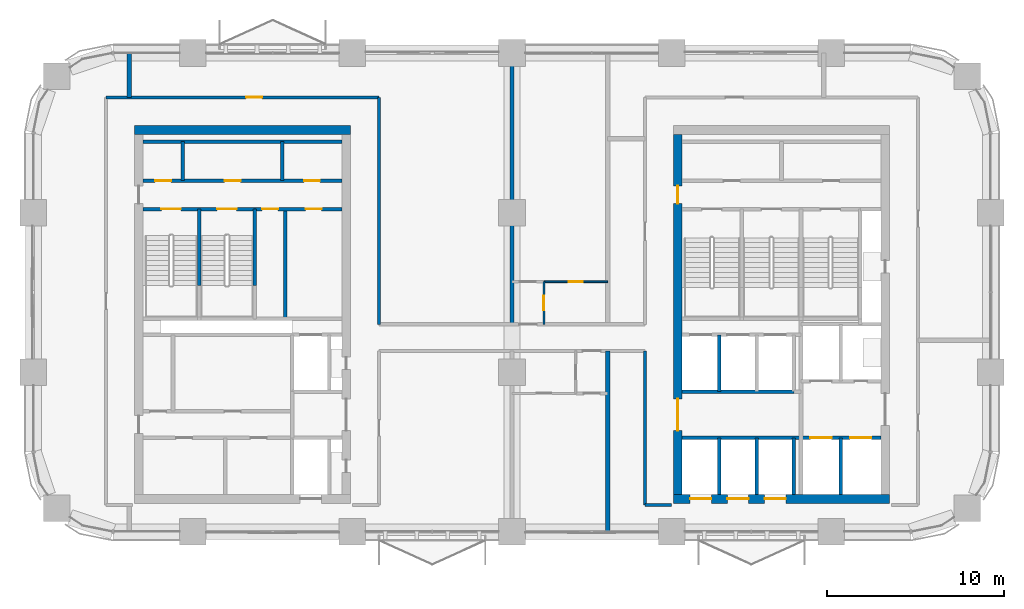
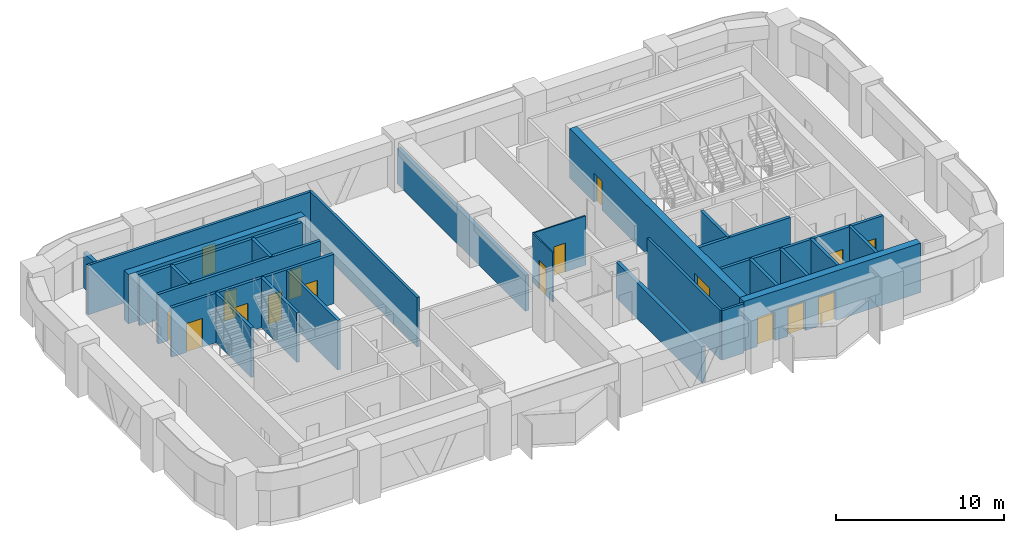
# One storey, part 9 of 13: 28 walls, 17 doors, 17 openings.
"""IFC4 building model written with IfcOpenShell, lengths in metres."""

from ifc_helpers import new_model, si_unit, direction, frame, frame_2d, origin, place, context, subcontext, project, spatial, rectangle, extrude, material, layer, layer_set, type_object, element, fill, save


model = new_model("IFC4")

# Units and contexts
model_context = context("Model", 3, precision=1e-05, world=origin(), true_north=direction((0.0, 1.0)))
body_context = subcontext(model_context, "Body", "Model", "MODEL_VIEW")
ifc_project = project(units=[si_unit("LENGTHUNIT", "METRE"), si_unit("AREAUNIT", "SQUARE_METRE"), si_unit("VOLUMEUNIT", "CUBIC_METRE"), si_unit("PLANEANGLEUNIT", "RADIAN"), si_unit("MASSUNIT", "GRAM", prefix="KILO")], contexts=[model_context])

# Site, building, storey
site_placement = place(None, origin())
site = spatial("IfcSite", under=ifc_project, at=site_placement, CompositionType="ELEMENT")
building_placement = place(site_placement, origin())
building = spatial("IfcBuilding", under=site, at=building_placement, Name="Tessera Arch", CompositionType="ELEMENT")
storey_placement = place(building_placement, frame((0.0, 0.0, 189.5)))
storey = spatial("IfcBuildingStorey", under=building, at=storey_placement, Name="L45", CompositionType="ELEMENT", Elevation=189.5)

# Walls
ifc_material_1 = material(Name="Gypsum board on steel stud", Category="steel")
ifc_layer_1 = layer(ifc_material_1, 0.125)
ifc_layer_set_1 = layer_set([ifc_layer_1], Name="Core partition 125 EI 60")
wall_type_1 = type_object("IfcWallType", Name="Core partition 125 EI 60", PredefinedType="PARTITIONING", material=ifc_layer_set_1)
for number, where, z_axis, x_axis, name in (
    (1, (8.43994140625, 46.800048828125, 0.0), (0.0, 0.0, 1.0), (0.0, 1.0, 0.0), "L45 C2 partition wall 2"),
    (2, (14.0400390625, 46.800048828125, 0.0), (0.0, 0.0, 1.0), (0.0, 1.0, 0.0), "L45 C2 partition wall 8"),
):
    element("IfcWall", number, at=place(storey_placement, frame(where, z_axis=z_axis, x_axis=x_axis)), inside=storey, type_object=wall_type_1, Name=name, PredefinedType="PARTITIONING", context=body_context, shape_type="SweptSolid", body=[
        extrude(rectangle(XDim=2.199951171875, YDim=0.199951171875, at=frame_2d((1.10009765625, 0.0))), origin(), (0.0, 0.0, 1.0), 3.60009765625),
    ])
wall_1_placement = place(storey_placement, frame((14.215087890625, 39.0, 0.0), z_axis=(0.0, 0.0, 1.0), x_axis=(0.0, 1.0, 0.0)))
element("IfcWall", 3, at=wall_1_placement, inside=storey, type_object=wall_type_1, Name="L45 C2 partition wall 9", PredefinedType="PARTITIONING", context=body_context, shape_type="SweptSolid", body=[
    extrude(rectangle(XDim=6.199951171875, YDim=0.199951171875, at=frame_2d((3.10009765625, 0.0))), origin(), (0.0, 0.0, 1.0), 3.60009765625),
])

# Wall, openings, doors
wall_2_placement = place(storey_placement, frame((12.5, 45.199951171875, 0.0), z_axis=(0.0, 0.0, 1.0), x_axis=(1.0, 0.0, 0.0)))
wall_2 = element("IfcWall", 4, at=wall_2_placement, inside=storey, type_object=wall_type_1, Name="L45 C2 partition wall 24", PredefinedType="PARTITIONING", context=body_context, shape_type="SweptSolid", body=[
    extrude(rectangle(XDim=4.89990234375, YDim=0.199951171875, at=frame_2d((2.449951171875, 0.0))), origin(), (0.0, 0.0, 1.0), 3.60009765625),
])
opening_1_placement = place(wall_2_placement, frame((0.407470703125, 0.0, 0.0)))
opening_1 = element("IfcOpeningElement", 5, at=opening_1_placement, cuts=wall_2, Name="Opening L45-C32", PredefinedType="OPENING", context=body_context, shape_type="SweptSolid", body=[
    extrude(rectangle(XDim=0.89990234375, YDim=2.10009765625, at=frame_2d((0.449951171875, 1.050048828125))), frame((0.0, 0.10986328125, 0.0), z_axis=(0.0, -1.0, 0.0), x_axis=(1.0, 0.0, 0.0)), (0.0, 0.0, 1.0), 0.219970703125),
])
opening_2_placement = place(wall_2_placement, frame((2.857421875, 0.0, 0.0)))
opening_2 = element("IfcOpeningElement", 6, at=opening_2_placement, cuts=wall_2, Name="Opening L45-C33", PredefinedType="OPENING", context=body_context, shape_type="SweptSolid", body=[
    extrude(rectangle(XDim=0.89990234375, YDim=2.10009765625, at=frame_2d((0.449951171875, 1.050048828125))), frame((0.0, 0.10986328125, 0.0), z_axis=(0.0, -1.0, 0.0), x_axis=(1.0, 0.0, 0.0)), (0.0, 0.0, 1.0), 0.219970703125),
])
ifc_material_2 = material(Name="Steel door leaf", Category="steel")
door_type_1 = type_object("IfcDoorType", Name="Store door FD30S 900 x 2100", OperationType="SINGLE_SWING_LEFT", PredefinedType="DOOR", material=ifc_material_2)
door_1_placement = place(opening_1_placement, origin())
door_1 = element("IfcDoor", 7, at=door_1_placement, inside=storey, type_object=door_type_1, Name="L45 C2 door 13 C32 type D09", OperationType="SINGLE_SWING_LEFT", OverallHeight=2.10009765625, OverallWidth=0.89990234375, PredefinedType="DOOR", context=body_context, shape_type="SweptSolid", body=[
    extrude(rectangle(XDim=0.89990234375, YDim=2.10009765625, at=frame_2d((0.449951171875, 1.050048828125))), frame((0.0, 0.02490234375, 0.0), z_axis=(0.0, -1.0, 0.0), x_axis=(1.0, 0.0, 0.0)), (0.0, 0.0, 1.0), 0.050048828125),
])
fill(opening_1, door_1)
door_2_placement = place(opening_2_placement, origin())
door_2 = element("IfcDoor", 8, at=door_2_placement, inside=storey, type_object=door_type_1, Name="L45 C2 door 14 C33 type D09", OperationType="SINGLE_SWING_RIGHT", OverallHeight=2.10009765625, OverallWidth=0.89990234375, PredefinedType="DOOR", context=body_context, shape_type="SweptSolid", body=[
    extrude(rectangle(XDim=0.89990234375, YDim=2.10009765625, at=frame_2d((0.449951171875, 1.050048828125))), frame((0.0, 0.02490234375, 0.0), z_axis=(0.0, -1.0, 0.0), x_axis=(1.0, 0.0, 0.0)), (0.0, 0.0, 1.0), 0.050048828125),
])
fill(opening_2, door_2)

wall_3_placement = place(storey_placement, frame((6.199951171875, 46.800048828125, 0.0), z_axis=(0.0, 0.0, 1.0), x_axis=(1.0, 0.0, 0.0)))
wall_3 = element("IfcWall", 9, at=wall_3_placement, inside=storey, type_object=wall_type_1, Name="L45 C2 partition wall 26", PredefinedType="PARTITIONING", context=body_context, shape_type="SweptSolid", body=[
    extrude(rectangle(XDim=11.199951171875, YDim=0.199951171875, at=frame_2d((5.60009765625, 0.0))), origin(), (0.0, 0.0, 1.0), 3.60009765625),
])
opening_3_placement = place(wall_3_placement, frame((0.669921875, 0.0, 0.0)))
opening_3 = element("IfcOpeningElement", 10, at=opening_3_placement, cuts=wall_3, Name="Opening L45-C29", PredefinedType="OPENING", context=body_context, shape_type="SweptSolid", body=[
    extrude(rectangle(XDim=0.89990234375, YDim=2.10009765625, at=frame_2d((0.449951171875, 1.050048828125))), frame((0.0, 0.10986328125, 0.0), z_axis=(0.0, -1.0, 0.0), x_axis=(1.0, 0.0, 0.0)), (0.0, 0.0, 1.0), 0.219970703125),
])
opening_4_placement = place(wall_3_placement, frame((4.590087890625, 0.0, 0.0)))
opening_4 = element("IfcOpeningElement", 11, at=opening_4_placement, cuts=wall_3, Name="Opening L45-C30", PredefinedType="OPENING", context=body_context, shape_type="SweptSolid", body=[
    extrude(rectangle(XDim=0.89990234375, YDim=2.10009765625, at=frame_2d((0.449951171875, 1.050048828125))), frame((0.0, 0.10986328125, 0.0), z_axis=(0.0, -1.0, 0.0), x_axis=(1.0, 0.0, 0.0)), (0.0, 0.0, 1.0), 0.219970703125),
])
opening_5_placement = place(wall_3_placement, frame((9.070068359375, 0.0, 0.0)))
opening_5 = element("IfcOpeningElement", 12, at=opening_5_placement, cuts=wall_3, Name="Opening L45-C31", PredefinedType="OPENING", context=body_context, shape_type="SweptSolid", body=[
    extrude(rectangle(XDim=0.89990234375, YDim=2.10009765625, at=frame_2d((0.449951171875, 1.050048828125))), frame((0.0, 0.10986328125, 0.0), z_axis=(0.0, -1.0, 0.0), x_axis=(1.0, 0.0, 0.0)), (0.0, 0.0, 1.0), 0.219970703125),
])
door_3_placement = place(opening_3_placement, origin())
door_3 = element("IfcDoor", 13, at=door_3_placement, inside=storey, type_object=door_type_1, Name="L45 C2 door 10 C29 type D09", OperationType="SINGLE_SWING_LEFT", OverallHeight=2.10009765625, OverallWidth=0.89990234375, PredefinedType="DOOR", context=body_context, shape_type="SweptSolid", body=[
    extrude(rectangle(XDim=0.89990234375, YDim=2.10009765625, at=frame_2d((0.449951171875, 1.050048828125))), frame((0.0, 0.02490234375, 0.0), z_axis=(0.0, -1.0, 0.0), x_axis=(1.0, 0.0, 0.0)), (0.0, 0.0, 1.0), 0.050048828125),
])
fill(opening_3, door_3)
door_4_placement = place(opening_4_placement, origin())
door_4 = element("IfcDoor", 14, at=door_4_placement, inside=storey, type_object=door_type_1, Name="L45 C2 door 11 C30 type D09", OperationType="SINGLE_SWING_LEFT", OverallHeight=2.10009765625, OverallWidth=0.89990234375, PredefinedType="DOOR", context=body_context, shape_type="SweptSolid", body=[
    extrude(rectangle(XDim=0.89990234375, YDim=2.10009765625, at=frame_2d((0.449951171875, 1.050048828125))), frame((0.0, 0.02490234375, 0.0), z_axis=(0.0, -1.0, 0.0), x_axis=(1.0, 0.0, 0.0)), (0.0, 0.0, 1.0), 0.050048828125),
])
fill(opening_4, door_4)
door_5_placement = place(opening_5_placement, origin())
door_5 = element("IfcDoor", 15, at=door_5_placement, inside=storey, type_object=door_type_1, Name="L45 C2 door 12 C31 type D09", OperationType="SINGLE_SWING_RIGHT", OverallHeight=2.10009765625, OverallWidth=0.89990234375, PredefinedType="DOOR", context=body_context, shape_type="SweptSolid", body=[
    extrude(rectangle(XDim=0.89990234375, YDim=2.10009765625, at=frame_2d((0.449951171875, 1.050048828125))), frame((0.0, 0.02490234375, 0.0), z_axis=(0.0, -1.0, 0.0), x_axis=(1.0, 0.0, 0.0)), (0.0, 0.0, 1.0), 0.050048828125),
])
fill(opening_5, door_5)

# Wall
wall_4_placement = place(storey_placement, frame((6.199951171875, 49.0, 0.0), z_axis=(0.0, 0.0, 1.0), x_axis=(1.0, 0.0, 0.0)))
element("IfcWall", 16, at=wall_4_placement, inside=storey, type_object=wall_type_1, Name="L45 C2 partition wall 27", PredefinedType="PARTITIONING", context=body_context, shape_type="SweptSolid", body=[
    extrude(rectangle(XDim=11.199951171875, YDim=0.199951171875, at=frame_2d((5.60009765625, 0.0))), origin(), (0.0, 0.0, 1.0), 3.60009765625),
])

# Wall, openings, doors
ifc_material_3 = material(Name="Concrete C60/75", Category="concrete")
ifc_layer_2 = layer(ifc_material_3, 0.5)
ifc_layer_set_2 = layer_set([ifc_layer_2], Name="Core shell wall 500 C60-75")
wall_type_2 = type_object("IfcWallType", Name="Core shell wall 500 C60-75", PredefinedType="SHEAR", material=ifc_layer_set_2)
wall_5_placement = place(storey_placement, frame((36.10009765625, 28.85009765625, 0.0), z_axis=(0.0, 0.0, 1.0), x_axis=(1.0, 0.0, 0.0)))
wall_5 = element("IfcWall", 17, at=wall_5_placement, inside=storey, type_object=wall_type_2, Name="L45 C1 core wall S", PredefinedType="SHEAR", context=body_context, shape_type="SweptSolid", body=[
    extrude(rectangle(XDim=12.199951171875, YDim=0.5, at=frame_2d((6.10009765625, 0.0))), origin(), (0.0, 0.0, 1.0), 3.60009765625),
])
opening_6_placement = place(wall_5_placement, frame((0.949951171875, 0.0, 0.0)))
opening_6 = element("IfcOpeningElement", 18, at=opening_6_placement, cuts=wall_5, Name="Opening L45-C01", PredefinedType="OPENING", context=body_context, shape_type="SweptSolid", body=[
    extrude(rectangle(XDim=1.199951171875, YDim=2.10009765625, at=frame_2d((0.60009765625, 1.050048828125))), frame((0.0, 0.260009765625, 0.0), z_axis=(0.0, -1.0, 0.0), x_axis=(1.0, 0.0, 0.0)), (0.0, 0.0, 1.0), 0.52001953125),
])
opening_7_placement = place(wall_5_placement, frame((3.050048828125, 0.0, 0.0)))
opening_7 = element("IfcOpeningElement", 19, at=opening_7_placement, cuts=wall_5, Name="Opening L45-C03", PredefinedType="OPENING", context=body_context, shape_type="SweptSolid", body=[
    extrude(rectangle(XDim=1.199951171875, YDim=2.10009765625, at=frame_2d((0.60009765625, 1.050048828125))), frame((0.0, 0.260009765625, 0.0), z_axis=(0.0, -1.0, 0.0), x_axis=(1.0, 0.0, 0.0)), (0.0, 0.0, 1.0), 0.52001953125),
])
opening_8_placement = place(wall_5_placement, frame((5.14990234375, 0.0, 0.0)))
opening_8 = element("IfcOpeningElement", 20, at=opening_8_placement, cuts=wall_5, Name="Opening L45-C05", PredefinedType="OPENING", context=body_context, shape_type="SweptSolid", body=[
    extrude(rectangle(XDim=1.199951171875, YDim=2.10009765625, at=frame_2d((0.60009765625, 1.050048828125))), frame((0.0, 0.260009765625, 0.0), z_axis=(0.0, -1.0, 0.0), x_axis=(1.0, 0.0, 0.0)), (0.0, 0.0, 1.0), 0.52001953125),
])
ifc_material_4 = material(Name="Stainless steel AISI 304", Category="steel")
door_type_2 = type_object("IfcDoorType", Name="Sliding landing door 1200 x 2100", OperationType="SLIDING_TO_LEFT", PredefinedType="DOOR", material=ifc_material_4)
door_6_placement = place(opening_6_placement, origin())
door_6 = element("IfcDoor", 21, at=door_6_placement, inside=storey, type_object=door_type_2, Name="L45 HR1 lift landing door C01 type LD", OperationType="SLIDING_TO_LEFT", OverallHeight=2.10009765625, OverallWidth=1.199951171875, PredefinedType="DOOR", context=body_context, shape_type="SweptSolid", body=[
    extrude(rectangle(XDim=1.199951171875, YDim=2.10009765625, at=frame_2d((0.60009765625, 1.050048828125))), frame((0.0, 0.02490234375, 0.0), z_axis=(0.0, -1.0, 0.0), x_axis=(1.0, 0.0, 0.0)), (0.0, 0.0, 1.0), 0.050048828125),
])
fill(opening_6, door_6)
door_7_placement = place(opening_7_placement, origin())
door_7 = element("IfcDoor", 22, at=door_7_placement, inside=storey, type_object=door_type_2, Name="L45 HR2 lift landing door C03 type LD", OperationType="SLIDING_TO_LEFT", OverallHeight=2.10009765625, OverallWidth=1.199951171875, PredefinedType="DOOR", context=body_context, shape_type="SweptSolid", body=[
    extrude(rectangle(XDim=1.199951171875, YDim=2.10009765625, at=frame_2d((0.60009765625, 1.050048828125))), frame((0.0, 0.02490234375, 0.0), z_axis=(0.0, -1.0, 0.0), x_axis=(1.0, 0.0, 0.0)), (0.0, 0.0, 1.0), 0.050048828125),
])
fill(opening_7, door_7)
door_8_placement = place(opening_8_placement, origin())
door_8 = element("IfcDoor", 23, at=door_8_placement, inside=storey, type_object=door_type_2, Name="L45 HR3 lift landing door C05 type LD", OperationType="SLIDING_TO_LEFT", OverallHeight=2.10009765625, OverallWidth=1.199951171875, PredefinedType="DOOR", context=body_context, shape_type="SweptSolid", body=[
    extrude(rectangle(XDim=1.199951171875, YDim=2.10009765625, at=frame_2d((0.60009765625, 1.050048828125))), frame((0.0, 0.02490234375, 0.0), z_axis=(0.0, -1.0, 0.0), x_axis=(1.0, 0.0, 0.0)), (0.0, 0.0, 1.0), 0.050048828125),
])
fill(opening_8, door_8)

wall_6_placement = place(storey_placement, frame((36.35009765625, 29.10009765625, 0.0), z_axis=(0.0, 0.0, 1.0), x_axis=(0.0, 1.0, 0.0)))
wall_6 = element("IfcWall", 24, at=wall_6_placement, inside=storey, type_object=wall_type_2, Name="L45 C1 core wall W", PredefinedType="SHEAR", context=body_context, shape_type="SweptSolid", body=[
    extrude(rectangle(XDim=20.2998046875, YDim=0.5, at=frame_2d((10.14990234375, 0.0))), origin(), (0.0, 0.0, 1.0), 3.60009765625),
])
opening_9_placement = place(wall_6_placement, frame((3.60009765625, 0.0, 0.0)))
opening_9 = element("IfcOpeningElement", 25, at=opening_9_placement, cuts=wall_6, Name="Opening L45-C10", PredefinedType="OPENING", context=body_context, shape_type="SweptSolid", body=[
    extrude(rectangle(XDim=1.800048828125, YDim=2.10009765625, at=frame_2d((0.89990234375, 1.050048828125))), frame((0.0, 0.260009765625, 0.0), z_axis=(0.0, -1.0, 0.0), x_axis=(1.0, 0.0, 0.0)), (0.0, 0.0, 1.0), 0.52001953125),
])
opening_10_placement = place(wall_6_placement, frame((16.39990234375, 0.0, 0.0)))
opening_10 = element("IfcOpeningElement", 26, at=opening_10_placement, cuts=wall_6, Name="Opening L45-C17", PredefinedType="OPENING", context=body_context, shape_type="SweptSolid", body=[
    extrude(rectangle(XDim=1.0, YDim=2.10009765625, at=frame_2d((0.5, 1.050048828125))), frame((0.0, 0.260009765625, 0.0), z_axis=(0.0, -1.0, 0.0), x_axis=(1.0, 0.0, 0.0)), (0.0, 0.0, 1.0), 0.52001953125),
])
ifc_material_5 = material(Name="Steel door leaf", Category="steel")
door_type_3 = type_object("IfcDoorType", Name="Corridor door FD60 1000 x 2100", OperationType="SINGLE_SWING_LEFT", PredefinedType="DOOR", material=ifc_material_5)
door_9_placement = place(opening_10_placement, origin())
door_9 = element("IfcDoor", 27, at=door_9_placement, inside=storey, type_object=door_type_3, Name="L45 C1 door 17 C17 type D12", OperationType="SINGLE_SWING_RIGHT", OverallHeight=2.10009765625, OverallWidth=1.0, PredefinedType="DOOR", context=body_context, shape_type="SweptSolid", body=[
    extrude(rectangle(XDim=1.0, YDim=2.10009765625, at=frame_2d((0.5, 1.050048828125))), frame((0.0, 0.02490234375, 0.0), z_axis=(0.0, -1.0, 0.0), x_axis=(1.0, 0.0, 0.0)), (0.0, 0.0, 1.0), 0.050048828125),
])
fill(opening_10, door_9)
ifc_material_6 = material(Name="Glazed steel door leaf", Category="steel")
door_type_4 = type_object("IfcDoorType", Name="Lobby double door FD30S 1800 x 2100", OperationType="DOUBLE_DOOR_SINGLE_SWING", PredefinedType="DOOR", material=ifc_material_6)
door_10_placement = place(opening_9_placement, origin())
door_10 = element("IfcDoor", 28, at=door_10_placement, inside=storey, type_object=door_type_4, Name="L45 C1 door 10 C10 type D06", OperationType="DOUBLE_DOOR_SINGLE_SWING", OverallHeight=2.10009765625, OverallWidth=1.800048828125, PredefinedType="DOOR", context=body_context, shape_type="SweptSolid", body=[
    extrude(rectangle(XDim=1.800048828125, YDim=2.10009765625, at=frame_2d((0.89990234375, 1.050048828125))), frame((0.0, 0.02490234375, 0.0), z_axis=(0.0, -1.0, 0.0), x_axis=(1.0, 0.0, 0.0)), (0.0, 0.0, 1.0), 0.050048828125),
])
fill(opening_9, door_10)

# Walls
wall_7_placement = place(storey_placement, frame((5.699951171875, 49.64990234375, 0.0), z_axis=(0.0, 0.0, 1.0), x_axis=(1.0, 0.0, 0.0)))
element("IfcWall", 29, at=wall_7_placement, inside=storey, type_object=wall_type_2, Name="L45 C2 core wall N", PredefinedType="SHEAR", context=body_context, shape_type="SweptSolid", body=[
    extrude(rectangle(XDim=12.199951171875, YDim=0.5, at=frame_2d((6.10009765625, 0.0))), origin(), (0.0, 0.0, 1.0), 3.60009765625),
])
ifc_material_7 = material(Name="Gypsum board on deep steel stud with mineral wool", Category="steel")
ifc_layer_3 = layer(ifc_material_7, 0.175048828125)
ifc_layer_set_3 = layer_set([ifc_layer_3], Name="Corridor wall 175 EI 60")
wall_type_3 = type_object("IfcWallType", Name="Corridor wall 175 EI 60", PredefinedType="PARTITIONING", material=ifc_layer_set_3)
wall_8_placement = place(storey_placement, frame((34.5, 28.5, 0.0), z_axis=(0.0, 0.0, 1.0), x_axis=(1.0, 0.0, 0.0)))
element("IfcWall", 30, at=wall_8_placement, inside=storey, type_object=wall_type_3, Name="L45 partition 3", PredefinedType="PARTITIONING", context=body_context, shape_type="SweptSolid", body=[
    extrude(rectangle(XDim=1.5, YDim=0.175048828125, at=frame_2d((0.75, 0.0))), origin(), (0.0, 0.0, 1.0), 3.60009765625),
])

# Wall, opening, door
wall_9_placement = place(storey_placement, frame((4.10009765625, 51.5, 0.0), z_axis=(0.0, 0.0, 1.0), x_axis=(1.0, 0.0, 0.0)))
wall_9 = element("IfcWall", 31, at=wall_9_placement, inside=storey, type_object=wall_type_3, Name="L45 partition 7", PredefinedType="PARTITIONING", context=body_context, shape_type="SweptSolid", body=[
    extrude(rectangle(XDim=15.39990234375, YDim=0.175048828125, at=frame_2d((7.699951171875, 0.0))), origin(), (0.0, 0.0, 1.0), 3.60009765625),
])
opening_11_placement = place(wall_9_placement, frame((7.89990234375, 0.0, 0.0)))
opening_11 = element("IfcOpeningElement", 32, at=opening_11_placement, cuts=wall_9, Name="Opening L45-D014", PredefinedType="OPENING", context=body_context, shape_type="SweptSolid", body=[
    extrude(rectangle(XDim=0.89990234375, YDim=2.10009765625, at=frame_2d((0.449951171875, 1.050048828125))), frame((0.0, 0.097412109375, 0.0), z_axis=(0.0, -1.0, 0.0), x_axis=(1.0, 0.0, 0.0)), (0.0, 0.0, 1.0), 0.195068359375),
])
ifc_material_8 = material(Name="Timber door leaf", Category="wood")
door_type_5 = type_object("IfcDoorType", Name="Room door 900 x 2100", OperationType="SINGLE_SWING_LEFT", PredefinedType="DOOR", material=ifc_material_8)
door_11_placement = place(opening_11_placement, origin())
door_11 = element("IfcDoor", 33, at=door_11_placement, inside=storey, type_object=door_type_5, Name="L45 door D014 type D01", OperationType="SINGLE_SWING_RIGHT", OverallHeight=2.10009765625, OverallWidth=0.89990234375, PredefinedType="DOOR", context=body_context, shape_type="SweptSolid", body=[
    extrude(rectangle(XDim=0.89990234375, YDim=2.10009765625, at=frame_2d((0.449951171875, 1.050048828125))), frame((0.0, 0.02490234375, 0.0), z_axis=(0.0, -1.0, 0.0), x_axis=(1.0, 0.0, 0.0)), (0.0, 0.0, 1.0), 0.050048828125),
])
fill(opening_11, door_11)

# Walls
wall_10_placement = place(storey_placement, frame((19.5, 38.699951171875, 0.0), z_axis=(0.0, 0.0, 1.0), x_axis=(0.0, 1.0, 0.0)))
element("IfcWall", 34, at=wall_10_placement, inside=storey, type_object=wall_type_3, Name="L45 partition 11", PredefinedType="PARTITIONING", context=body_context, shape_type="SweptSolid", body=[
    extrude(rectangle(XDim=12.800048828125, YDim=0.175048828125, at=frame_2d((6.39990234375, 0.0))), origin(), (0.0, 0.0, 1.0), 3.60009765625),
])
wall_11_placement = place(storey_placement, frame((34.5, 28.5, 0.0), z_axis=(0.0, 0.0, 1.0), x_axis=(0.0, 1.0, 0.0)))
element("IfcWall", 35, at=wall_11_placement, inside=storey, type_object=wall_type_3, Name="L45 partition 12", PredefinedType="PARTITIONING", context=body_context, shape_type="SweptSolid", body=[
    extrude(rectangle(XDim=8.699951171875, YDim=0.175048828125, at=frame_2d((4.35009765625, 0.0))), origin(), (0.0, 0.0, 1.0), 3.60009765625),
])
ifc_material_9 = material(Name="Double gypsum board on twin steel stud with acoustic mineral wool", Category="steel")
ifc_layer_4 = layer(ifc_material_9, 0.25)
ifc_layer_set_4 = layer_set([ifc_layer_4], Name="Party wall 250 EI 60")
wall_type_4 = type_object("IfcWallType", Name="Party wall 250 EI 60", PredefinedType="PARTITIONING", material=ifc_layer_set_4)
wall_12_placement = place(storey_placement, frame((5.39990234375, 51.5, 0.0), z_axis=(0.0, 0.0, 1.0), x_axis=(0.0, 1.0, 0.0)))
element("IfcWall", 36, at=wall_12_placement, inside=storey, type_object=wall_type_4, Name="L45 partition 20", PredefinedType="PARTITIONING", context=body_context, shape_type="SweptSolid", body=[
    extrude(rectangle(XDim=2.5, YDim=0.25, at=frame_2d((1.25, 0.0))), origin(), (0.0, 0.0, 1.0), 2.60009765625),
])
wall_13_placement = place(storey_placement, frame((27.0, 38.699951171875, 0.0), z_axis=(0.0, 0.0, 1.0), x_axis=(0.0, 1.0, 0.0)))
element("IfcWall", 37, at=wall_13_placement, inside=storey, type_object=wall_type_4, Name="L45 partition 22", PredefinedType="PARTITIONING", context=body_context, shape_type="SweptSolid", body=[
    extrude(rectangle(XDim=15.300048828125, YDim=0.25, at=frame_2d((7.64990234375, 0.0))), origin(), (0.0, 0.0, 1.0), 2.60009765625),
])
wall_14_placement = place(storey_placement, frame((32.39990234375, 27.0, 0.0), z_axis=(0.0, 0.0, 1.0), x_axis=(0.0, 1.0, 0.0)))
element("IfcWall", 38, at=wall_14_placement, inside=storey, type_object=wall_type_4, Name="L45 partition 23", PredefinedType="PARTITIONING", context=body_context, shape_type="SweptSolid", body=[
    extrude(rectangle(XDim=10.199951171875, YDim=0.25, at=frame_2d((5.10009765625, 0.0))), origin(), (0.0, 0.0, 1.0), 2.60009765625),
])
ifc_material_10 = material(Name="Concrete C40/50", Category="concrete")
ifc_layer_5 = layer(ifc_material_10, 0.199951171875)
ifc_layer_set_5 = layer_set([ifc_layer_5], Name="Shaft wall 200 EI 120")
wall_type_5 = type_object("IfcWallType", Name="Shaft wall 200 EI 120", PredefinedType="SOLIDWALL", material=ifc_layer_set_5)
wall_15_placement = place(storey_placement, frame((38.699951171875, 29.10009765625, 0.0), z_axis=(0.0, 0.0, 1.0), x_axis=(0.0, 1.0, 0.0)))
element("IfcWall", 39, at=wall_15_placement, inside=storey, type_object=wall_type_5, Name="L45 C1 shaft wall 1", PredefinedType="SOLIDWALL", context=body_context, shape_type="SweptSolid", body=[
    extrude(rectangle(XDim=3.199951171875, YDim=0.199951171875, at=frame_2d((1.60009765625, 0.0))), origin(), (0.0, 0.0, 1.0), 3.60009765625),
])
wall_16_placement = place(storey_placement, frame((38.699951171875, 34.89990234375, 0.0), z_axis=(0.0, 0.0, 1.0), x_axis=(0.0, 1.0, 0.0)))
element("IfcWall", 40, at=wall_16_placement, inside=storey, type_object=wall_type_5, Name="L45 C1 shaft wall 2", PredefinedType="SOLIDWALL", context=body_context, shape_type="SweptSolid", body=[
    extrude(rectangle(XDim=3.2001953125, YDim=0.199951171875, at=frame_2d((1.60009765625, 0.0))), origin(), (0.0, 0.0, 1.0), 3.60009765625),
])
for number, where, z_axis, x_axis, name in (
    (41, (40.800048828125, 29.10009765625, 0.0), (0.0, 0.0, 1.0), (0.0, 1.0, 0.0), "L45 C1 shaft wall 5"),
    (42, (42.89990234375, 29.10009765625, 0.0), (0.0, 0.0, 1.0), (0.0, 1.0, 0.0), "L45 C1 shaft wall 8"),
    (43, (45.550048828125, 29.10009765625, 0.0), (0.0, 0.0, 1.0), (0.0, 1.0, 0.0), "L45 C1 shaft wall 13"),
):
    element("IfcWall", number, at=place(storey_placement, frame(where, z_axis=z_axis, x_axis=x_axis)), inside=storey, type_object=wall_type_5, Name=name, PredefinedType="SOLIDWALL", context=body_context, shape_type="SweptSolid", body=[
        extrude(rectangle(XDim=3.199951171875, YDim=0.199951171875, at=frame_2d((1.60009765625, 0.0))), origin(), (0.0, 0.0, 1.0), 3.60009765625),
    ])

# Wall, openings, doors
wall_17_placement = place(storey_placement, frame((36.60009765625, 32.300048828125, 0.0), z_axis=(0.0, 0.0, 1.0), x_axis=(1.0, 0.0, 0.0)))
wall_17 = element("IfcWall", 44, at=wall_17_placement, inside=storey, type_object=wall_type_5, Name="L45 C1 shaft wall 18", PredefinedType="SOLIDWALL", context=body_context, shape_type="SweptSolid", body=[
    extrude(rectangle(XDim=11.199951171875, YDim=0.199951171875, at=frame_2d((5.60009765625, 0.0))), origin(), (0.0, 0.0, 1.0), 3.60009765625),
])
opening_12_placement = place(wall_17_placement, frame((7.22509765625, 0.0, 0.0)))
opening_12 = element("IfcOpeningElement", 45, at=opening_12_placement, cuts=wall_17, Name="Opening L45-C07", PredefinedType="OPENING", context=body_context, shape_type="SweptSolid", body=[
    extrude(rectangle(XDim=1.199951171875, YDim=2.10009765625, at=frame_2d((0.60009765625, 1.050048828125))), frame((0.0, 0.10986328125, 0.0), z_axis=(0.0, -1.0, 0.0), x_axis=(1.0, 0.0, 0.0)), (0.0, 0.0, 1.0), 0.219970703125),
])
opening_13_placement = place(wall_17_placement, frame((9.47509765625, 0.0, 0.0)))
opening_13 = element("IfcOpeningElement", 46, at=opening_13_placement, cuts=wall_17, Name="Opening L45-C08", PredefinedType="OPENING", context=body_context, shape_type="SweptSolid", body=[
    extrude(rectangle(XDim=1.199951171875, YDim=2.10009765625, at=frame_2d((0.60009765625, 1.050048828125))), frame((0.0, 0.10986328125, 0.0), z_axis=(0.0, -1.0, 0.0), x_axis=(1.0, 0.0, 0.0)), (0.0, 0.0, 1.0), 0.219970703125),
])
door_12_placement = place(opening_12_placement, origin())
door_12 = element("IfcDoor", 47, at=door_12_placement, inside=storey, type_object=door_type_2, Name="L45 FF1 lift landing door C07 type LD", OperationType="SLIDING_TO_LEFT", OverallHeight=2.10009765625, OverallWidth=1.199951171875, PredefinedType="DOOR", context=body_context, shape_type="SweptSolid", body=[
    extrude(rectangle(XDim=1.199951171875, YDim=2.10009765625, at=frame_2d((0.60009765625, 1.050048828125))), frame((0.0, 0.02490234375, 0.0), z_axis=(0.0, -1.0, 0.0), x_axis=(1.0, 0.0, 0.0)), (0.0, 0.0, 1.0), 0.050048828125),
])
fill(opening_12, door_12)
door_13_placement = place(opening_13_placement, origin())
door_13 = element("IfcDoor", 48, at=door_13_placement, inside=storey, type_object=door_type_2, Name="L45 FF2 lift landing door C08 type LD", OperationType="SLIDING_TO_LEFT", OverallHeight=2.10009765625, OverallWidth=1.199951171875, PredefinedType="DOOR", context=body_context, shape_type="SweptSolid", body=[
    extrude(rectangle(XDim=1.199951171875, YDim=2.10009765625, at=frame_2d((0.60009765625, 1.050048828125))), frame((0.0, 0.02490234375, 0.0), z_axis=(0.0, -1.0, 0.0), x_axis=(1.0, 0.0, 0.0)), (0.0, 0.0, 1.0), 0.050048828125),
])
fill(opening_13, door_13)

# Walls
wall_18_placement = place(storey_placement, frame((36.60009765625, 34.89990234375, 0.0), z_axis=(0.0, 0.0, 1.0), x_axis=(1.0, 0.0, 0.0)))
element("IfcWall", 49, at=wall_18_placement, inside=storey, type_object=wall_type_5, Name="L45 C1 shaft wall 20", PredefinedType="SOLIDWALL", context=body_context, shape_type="SweptSolid", body=[
    extrude(rectangle(XDim=6.2998046875, YDim=0.199951171875, at=frame_2d((3.14990234375, 0.0))), origin(), (0.0, 0.0, 1.0), 3.60009765625),
])
ifc_material_11 = material(Name="Concrete C40/50", Category="concrete")
ifc_layer_6 = layer(ifc_material_11, 0.199951171875)
ifc_layer_set_6 = layer_set([ifc_layer_6], Name="Stair well wall 200 REI 180")
wall_type_6 = type_object("IfcWallType", Name="Stair well wall 200 REI 180", PredefinedType="SOLIDWALL", material=ifc_layer_set_6)
for number, where, z_axis, x_axis, name in (
    (50, (9.35009765625, 40.89990234375, 0.0), (0.0, 0.0, 1.0), (0.0, 1.0, 0.0), "L45 C2 shaft wall 4"),
    (51, (12.5, 40.89990234375, 0.0), (0.0, 0.0, 1.0), (0.0, 1.0, 0.0), "L45 C2 shaft wall 7"),
):
    element("IfcWall", number, at=place(storey_placement, frame(where, z_axis=z_axis, x_axis=x_axis)), inside=storey, type_object=wall_type_6, Name=name, PredefinedType="SOLIDWALL", context=body_context, shape_type="SweptSolid", body=[
        extrude(rectangle(XDim=4.300048828125, YDim=0.199951171875, at=frame_2d((2.14990234375, 0.0))), origin(), (0.0, 0.0, 1.0), 3.60009765625),
    ])

# Wall, openings, doors
wall_19_placement = place(storey_placement, frame((6.199951171875, 45.199951171875, 0.0), z_axis=(0.0, 0.0, 1.0), x_axis=(1.0, 0.0, 0.0)))
wall_19 = element("IfcWall", 52, at=wall_19_placement, inside=storey, type_object=wall_type_6, Name="L45 C2 shaft wall 25", PredefinedType="SOLIDWALL", context=body_context, shape_type="SweptSolid", body=[
    extrude(rectangle(XDim=6.300048828125, YDim=0.199951171875, at=frame_2d((3.14990234375, 0.0))), origin(), (0.0, 0.0, 1.0), 3.60009765625),
])
opening_14_placement = place(wall_19_placement, frame((1.02490234375, 0.0, 0.0)))
opening_14 = element("IfcOpeningElement", 53, at=opening_14_placement, cuts=wall_19, Name="Opening L45-C24", PredefinedType="OPENING", context=body_context, shape_type="SweptSolid", body=[
    extrude(rectangle(XDim=1.10009765625, YDim=2.10009765625, at=frame_2d((0.550048828125, 1.050048828125))), frame((0.0, 0.10986328125, 0.0), z_axis=(0.0, -1.0, 0.0), x_axis=(1.0, 0.0, 0.0)), (0.0, 0.0, 1.0), 0.219970703125),
])
opening_15_placement = place(wall_19_placement, frame((4.175048828125, 0.0, 0.0)))
opening_15 = element("IfcOpeningElement", 54, at=opening_15_placement, cuts=wall_19, Name="Opening L45-C25", PredefinedType="OPENING", context=body_context, shape_type="SweptSolid", body=[
    extrude(rectangle(XDim=1.10009765625, YDim=2.10009765625, at=frame_2d((0.550048828125, 1.050048828125))), frame((0.0, 0.10986328125, 0.0), z_axis=(0.0, -1.0, 0.0), x_axis=(1.0, 0.0, 0.0)), (0.0, 0.0, 1.0), 0.219970703125),
])
ifc_material_12 = material(Name="Steel door leaf", Category="steel")
door_type_6 = type_object("IfcDoorType", Name="Stair door FD60 1100 x 2100", OperationType="SINGLE_SWING_LEFT", PredefinedType="DOOR", material=ifc_material_12)
door_14_placement = place(opening_14_placement, origin())
door_14 = element("IfcDoor", 55, at=door_14_placement, inside=storey, type_object=door_type_6, Name="L45 C2 door 5 C24 type D05", OperationType="SINGLE_SWING_LEFT", OverallHeight=2.10009765625, OverallWidth=1.10009765625, PredefinedType="DOOR", context=body_context, shape_type="SweptSolid", body=[
    extrude(rectangle(XDim=1.10009765625, YDim=2.10009765625, at=frame_2d((0.550048828125, 1.050048828125))), frame((0.0, 0.02490234375, 0.0), z_axis=(0.0, -1.0, 0.0), x_axis=(1.0, 0.0, 0.0)), (0.0, 0.0, 1.0), 0.050048828125),
])
fill(opening_14, door_14)
door_15_placement = place(opening_15_placement, origin())
door_15 = element("IfcDoor", 56, at=door_15_placement, inside=storey, type_object=door_type_6, Name="L45 C2 door 6 C25 type D05", OperationType="SINGLE_SWING_RIGHT", OverallHeight=2.10009765625, OverallWidth=1.10009765625, PredefinedType="DOOR", context=body_context, shape_type="SweptSolid", body=[
    extrude(rectangle(XDim=1.10009765625, YDim=2.10009765625, at=frame_2d((0.550048828125, 1.050048828125))), frame((0.0, 0.02490234375, 0.0), z_axis=(0.0, -1.0, 0.0), x_axis=(1.0, 0.0, 0.0)), (0.0, 0.0, 1.0), 0.050048828125),
])
fill(opening_15, door_15)

# Wall, opening, door
ifc_material_13 = material(Name="Moisture-resistant board on pre-plumbed steel stud", Category="steel")
ifc_layer_7 = layer(ifc_material_13, 0.10009765625)
ifc_layer_set_7 = layer_set([ifc_layer_7], Name="Wet wall 100")
wall_type_7 = type_object("IfcWallType", Name="Wet wall 100", PredefinedType="PARTITIONING", material=ifc_layer_set_7)
wall_20_placement = place(storey_placement, frame((28.800048828125, 41.10009765625, 0.0), z_axis=(0.0, 0.0, 1.0), x_axis=(1.0, 0.0, 0.0)))
wall_20 = element("IfcWall", 57, at=wall_20_placement, inside=storey, type_object=wall_type_7, Name="L45 partition 27", PredefinedType="PARTITIONING", context=body_context, shape_type="SweptSolid", body=[
    extrude(rectangle(XDim=3.599853515625, YDim=0.10009765625, at=frame_2d((1.7998046875, 0.0))), origin(), (0.0, 0.0, 1.0), 3.60009765625),
])
opening_16_placement = place(wall_20_placement, frame((1.39990234375, 0.0, 0.0)))
opening_16 = element("IfcOpeningElement", 58, at=opening_16_placement, cuts=wall_20, Name="Opening L45-D012", PredefinedType="OPENING", context=body_context, shape_type="SweptSolid", body=[
    extrude(rectangle(XDim=0.800048828125, YDim=2.10009765625, at=frame_2d((0.39990234375, 1.050048828125))), frame((0.0, 0.06005859375, 0.0), z_axis=(0.0, -1.0, 0.0), x_axis=(1.0, 0.0, 0.0)), (0.0, 0.0, 1.0), 0.1201171875),
])
ifc_material_14 = material(Name="Timber door leaf", Category="wood")
door_type_7 = type_object("IfcDoorType", Name="En-suite door 800 x 2100", OperationType="SINGLE_SWING_LEFT", PredefinedType="DOOR", material=ifc_material_14)
door_16_placement = place(opening_16_placement, origin())
door_16 = element("IfcDoor", 59, at=door_16_placement, inside=storey, type_object=door_type_7, Name="L45 door D012 type D02", OperationType="SINGLE_SWING_RIGHT", OverallHeight=2.10009765625, OverallWidth=0.800048828125, PredefinedType="DOOR", context=body_context, shape_type="SweptSolid", body=[
    extrude(rectangle(XDim=0.800048828125, YDim=2.10009765625, at=frame_2d((0.39990234375, 1.050048828125))), frame((0.0, 0.02490234375, 0.0), z_axis=(0.0, -1.0, 0.0), x_axis=(1.0, 0.0, 0.0)), (0.0, 0.0, 1.0), 0.050048828125),
])
fill(opening_16, door_16)

wall_21_placement = place(storey_placement, frame((28.800048828125, 38.699951171875, 0.0), z_axis=(0.0, 0.0, 1.0), x_axis=(0.0, 1.0, 0.0)))
wall_21 = element("IfcWall", 60, at=wall_21_placement, inside=storey, type_object=wall_type_7, Name="L45 partition 28", PredefinedType="PARTITIONING", context=body_context, shape_type="SweptSolid", body=[
    extrude(rectangle(XDim=2.400146484375, YDim=0.10009765625, at=frame_2d((1.2001953125, 0.0))), origin(), (0.0, 0.0, 1.0), 3.60009765625),
])
opening_17_placement = place(wall_21_placement, frame((0.800048828125, 0.0, 0.0)))
opening_17 = element("IfcOpeningElement", 61, at=opening_17_placement, cuts=wall_21, Name="Opening L45-D011", PredefinedType="OPENING", context=body_context, shape_type="SweptSolid", body=[
    extrude(rectangle(XDim=0.800048828125, YDim=2.10009765625, at=frame_2d((0.39990234375, 1.050048828125))), frame((0.0, 0.06005859375, 0.0), z_axis=(0.0, -1.0, 0.0), x_axis=(1.0, 0.0, 0.0)), (0.0, 0.0, 1.0), 0.1201171875),
])
door_17_placement = place(opening_17_placement, origin())
door_17 = element("IfcDoor", 62, at=door_17_placement, inside=storey, type_object=door_type_7, Name="L45 door D011 type D02", OperationType="SINGLE_SWING_LEFT", OverallHeight=2.10009765625, OverallWidth=0.800048828125, PredefinedType="DOOR", context=body_context, shape_type="SweptSolid", body=[
    extrude(rectangle(XDim=0.800048828125, YDim=2.10009765625, at=frame_2d((0.39990234375, 1.050048828125))), frame((0.0, 0.02490234375, 0.0), z_axis=(0.0, -1.0, 0.0), x_axis=(1.0, 0.0, 0.0)), (0.0, 0.0, 1.0), 0.050048828125),
])
fill(opening_17, door_17)

save(model, "model.ifc")
